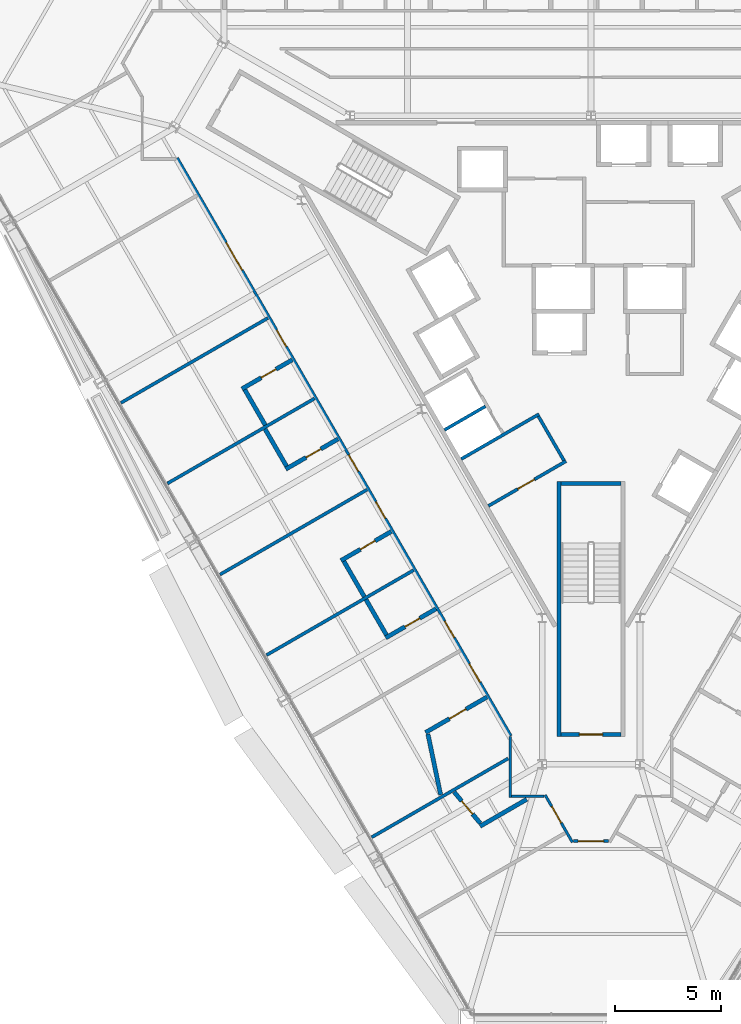
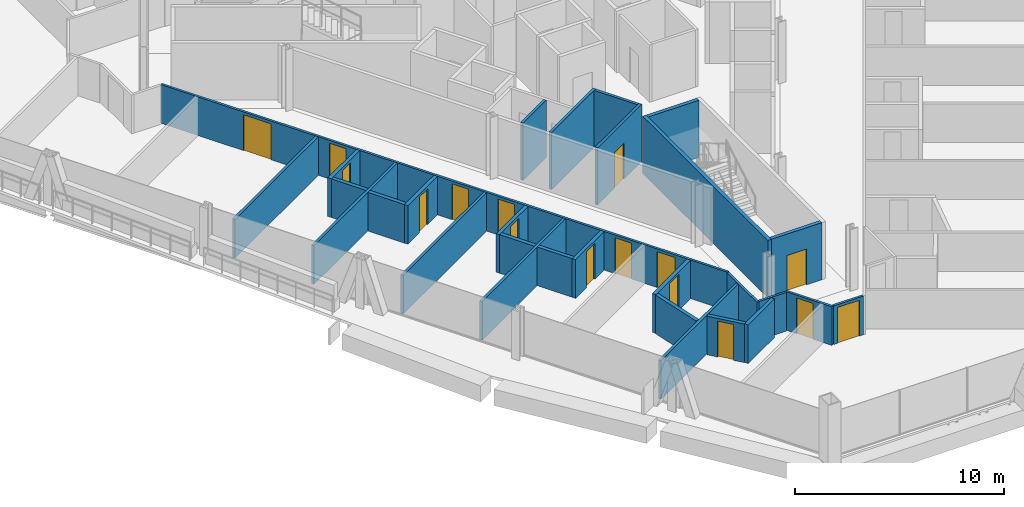
# One storey, part 11 of 18: 29 walls, 16 doors, 16 openings.
"""IFC4 building model written with IfcOpenShell, lengths in metres."""

from ifc_helpers import new_model, si_unit, direction, frame, frame_2d, origin, place, context, subcontext, project, spatial, rectangle, extrude, material, layer, layer_set, type_object, element, fill, save


model = new_model("IFC4")

# Units and contexts
model_context = context("Model", 3, precision=1e-05, world=origin(), true_north=direction((0.0, 1.0)))
body_context = subcontext(model_context, "Body", "Model", "MODEL_VIEW")
ifc_project = project(units=[si_unit("LENGTHUNIT", "METRE"), si_unit("AREAUNIT", "SQUARE_METRE"), si_unit("VOLUMEUNIT", "CUBIC_METRE"), si_unit("PLANEANGLEUNIT", "RADIAN"), si_unit("MASSUNIT", "GRAM", prefix="KILO")], contexts=[model_context])

# Site, building, storey
site_placement = place(None, origin())
site = spatial("IfcSite", under=ifc_project, at=site_placement, CompositionType="ELEMENT")
building_placement = place(site_placement, origin())
building = spatial("IfcBuilding", under=site, at=building_placement, Name="Verrane Prism Tower", CompositionType="ELEMENT")
storey_placement = place(building_placement, frame((0.0, 0.0, 83.60009765625)))
storey = spatial("IfcBuildingStorey", under=building, at=storey_placement, Name="L19", CompositionType="ELEMENT", Elevation=83.60009765625)

# Wall, opening, door
ifc_material_1 = material(Name="Concrete C40/50", Category="concrete")
ifc_layer_1 = layer(ifc_material_1, 0.199951171875)
ifc_layer_set_1 = layer_set([ifc_layer_1], Name="CW-200 stair core wall concrete C40/50 3 h")
wall_type_1 = type_object("IfcWallType", Name="CW-200 stair core wall concrete C40/50 3 h", PredefinedType="PARTITIONING", material=ifc_layer_set_1)
wall_1_placement = place(storey_placement, frame((-1.39990234375, -19.89990234375, 0.0), z_axis=(0.0, 0.0, 1.0), x_axis=(1.0, 0.0, 0.0)))
wall_1 = element("IfcWall", 1, at=wall_1_placement, inside=storey, type_object=wall_type_1, Name="Stair 3 enclosure wall", PredefinedType="PARTITIONING", context=body_context, shape_type="SweptSolid", body=[
    extrude(rectangle(XDim=2.7998046875, YDim=0.199951171875, at=frame_2d((1.39990234375, 0.0))), origin(), (0.0, 0.0, 1.0), 3.349853515625),
])
opening_1_placement = place(wall_1_placement, frame((0.85009765625, 0.0, 0.0)))
opening_1 = element("IfcOpeningElement", 2, at=opening_1_placement, cuts=wall_1, Name="Opening D17502", PredefinedType="OPENING", context=body_context, shape_type="SweptSolid", body=[
    extrude(rectangle(XDim=1.10009765625, YDim=2.10009765625, at=frame_2d((0.550048828125, 1.050048828125))), frame((0.0, 0.10986328125, 0.0), z_axis=(0.0, -1.0, 0.0), x_axis=(1.0, 0.0, 0.0)), (0.0, 0.0, 1.0), 0.219970703125),
])
ifc_material_2 = material(Name="Timber veneered door leaf", Category="wood")
door_type_1 = type_object("IfcDoorType", Name="DR-1100x2100 FD90 single leaf stair", OperationType="NOTDEFINED", PredefinedType="DOOR", material=ifc_material_2)
door_1_placement = place(opening_1_placement, origin())
door_1 = element("IfcDoor", 3, at=door_1_placement, inside=storey, type_object=door_type_1, Name="Stair 3 door", OperationType="SINGLE_SWING_LEFT", OverallHeight=2.10009765625, OverallWidth=1.10009765625, PredefinedType="DOOR", context=body_context, shape_type="SweptSolid", body=[
    extrude(rectangle(XDim=1.10009765625, YDim=2.10009765625, at=frame_2d((0.550048828125, 1.050048828125))), frame((0.0, 0.02490234375, 0.0), z_axis=(0.0, -1.0, 0.0), x_axis=(1.0, 0.0, 0.0)), (0.0, 0.0, 1.0), 0.050048828125),
])
fill(opening_1, door_1)

# Walls
wall_2_placement = place(storey_placement, frame((-1.5, -8.0, 0.0), z_axis=(0.0, 0.0, 1.0), x_axis=(0.0, -1.0, 0.0)))
element("IfcWall", 4, at=wall_2_placement, inside=storey, type_object=wall_type_1, Name="Stair 3 enclosure wall", PredefinedType="PARTITIONING", context=body_context, shape_type="SweptSolid", body=[
    extrude(rectangle(XDim=12.0, YDim=0.199951171875, at=frame_2d((6.0, 0.0))), origin(), (0.0, 0.0, 1.0), 3.349853515625),
])
wall_3_placement = place(storey_placement, frame((-1.39990234375, -8.10009765625, 0.0), z_axis=(0.0, 0.0, 1.0), x_axis=(1.0, 0.0, 0.0)))
element("IfcWall", 5, at=wall_3_placement, inside=storey, type_object=wall_type_1, Name="Stair 3 enclosure wall", PredefinedType="PARTITIONING", context=body_context, shape_type="SweptSolid", body=[
    extrude(rectangle(XDim=2.7998046875, YDim=0.199951171875, at=frame_2d((1.39990234375, 0.0))), origin(), (0.0, 0.0, 1.0), 3.349853515625),
])

# Wall, openings, doors
ifc_material_3 = material(Name="Gypsum board partition", Category="other")
ifc_layer_2 = layer(ifc_material_3, 0.125)
ifc_layer_set_2 = layer_set([ifc_layer_2], Name="PW-125 corridor wall 1 h")
wall_type_2 = type_object("IfcWallType", Name="PW-125 corridor wall 1 h", PredefinedType="PARTITIONING", material=ifc_layer_set_2)
wall_4_placement = place(storey_placement, frame((-3.765869140625, -19.9580078125, 0.0), z_axis=(0.0, 0.0, 1.0), x_axis=(-0.50002170027, 0.866012874765, 0.0)))
wall_4 = element("IfcWall", 6, at=wall_4_placement, inside=storey, type_object=wall_type_2, Name="Corridor wall 012", PredefinedType="PARTITIONING", context=body_context, shape_type="SweptSolid", body=[
    extrude(rectangle(XDim=31.37939453125, YDim=0.125, at=frame_2d((15.689697265625, 0.0))), origin(), (0.0, 0.0, 1.0), 2.261962890625),
])
opening_2_placement = place(wall_4_placement, frame((25.2802734375, 0.0, 0.0)))
opening_2 = element("IfcOpeningElement", 7, at=opening_2_placement, cuts=wall_4, Name="Opening D17036", PredefinedType="OPENING", context=body_context, shape_type="SweptSolid", body=[
    extrude(rectangle(XDim=1.5, YDim=2.10009765625, at=frame_2d((0.75, 1.050048828125))), frame((0.0, 0.072509765625, 0.0), z_axis=(0.0, -1.0, 0.0), x_axis=(1.0, 0.0, 0.0)), (0.0, 0.0, 1.0), 0.14501953125),
])
opening_3_placement = place(wall_4_placement, frame((21.124267578125, 0.0, 0.0)))
opening_3 = element("IfcOpeningElement", 8, at=opening_3_placement, cuts=wall_4, Name="Opening D17037", PredefinedType="OPENING", context=body_context, shape_type="SweptSolid", body=[
    extrude(rectangle(XDim=0.89990234375, YDim=2.10009765625, at=frame_2d((0.449951171875, 1.050048828125))), frame((0.0, 0.072509765625, 0.0), z_axis=(0.0, -1.0, 0.0), x_axis=(1.0, 0.0, 0.0)), (0.0, 0.0, 1.0), 0.14501953125),
])
opening_4_placement = place(wall_4_placement, frame((14.34912109375, 0.0, 0.0)))
opening_4 = element("IfcOpeningElement", 9, at=opening_4_placement, cuts=wall_4, Name="Opening D17039", PredefinedType="OPENING", context=body_context, shape_type="SweptSolid", body=[
    extrude(rectangle(XDim=0.89990234375, YDim=2.10009765625, at=frame_2d((0.449951171875, 1.050048828125))), frame((0.0, 0.072509765625, 0.0), z_axis=(0.0, -1.0, 0.0), x_axis=(1.0, 0.0, 0.0)), (0.0, 0.0, 1.0), 0.14501953125),
])
opening_5_placement = place(wall_4_placement, frame((11.80419921875, 0.0, 0.0)))
opening_5 = element("IfcOpeningElement", 10, at=opening_5_placement, cuts=wall_4, Name="Opening D17041", PredefinedType="OPENING", context=body_context, shape_type="SweptSolid", body=[
    extrude(rectangle(XDim=0.89990234375, YDim=2.10009765625, at=frame_2d((0.449951171875, 1.050048828125))), frame((0.0, 0.072509765625, 0.0), z_axis=(0.0, -1.0, 0.0), x_axis=(1.0, 0.0, 0.0)), (0.0, 0.0, 1.0), 0.14501953125),
])
opening_6_placement = place(wall_4_placement, frame((5.330322265625, 0.0, 0.0)))
opening_6 = element("IfcOpeningElement", 11, at=opening_6_placement, cuts=wall_4, Name="Opening D17043", PredefinedType="OPENING", context=body_context, shape_type="SweptSolid", body=[
    extrude(rectangle(XDim=0.89990234375, YDim=2.10009765625, at=frame_2d((0.449951171875, 1.050048828125))), frame((0.0, 0.072509765625, 0.0), z_axis=(0.0, -1.0, 0.0), x_axis=(1.0, 0.0, 0.0)), (0.0, 0.0, 1.0), 0.14501953125),
])
opening_7_placement = place(wall_4_placement, frame((2.90625, 0.0, 0.0)))
opening_7 = element("IfcOpeningElement", 12, at=opening_7_placement, cuts=wall_4, Name="Opening D17045", PredefinedType="OPENING", context=body_context, shape_type="SweptSolid", body=[
    extrude(rectangle(XDim=1.0, YDim=2.10009765625, at=frame_2d((0.5, 1.050048828125))), frame((0.0, 0.072509765625, 0.0), z_axis=(0.0, -1.0, 0.0), x_axis=(1.0, 0.0, 0.0)), (0.0, 0.0, 1.0), 0.14501953125),
])
ifc_material_4 = material(Name="Timber veneered door leaf", Category="wood")
door_type_2 = type_object("IfcDoorType", Name="DR-1000x2100 FD20 single leaf unit", OperationType="NOTDEFINED", PredefinedType="DOOR", material=ifc_material_4)
door_2_placement = place(opening_7_placement, origin())
door_2 = element("IfcDoor", 13, at=door_2_placement, inside=storey, type_object=door_type_2, Name="Accessible Guest Room door", OperationType="SINGLE_SWING_RIGHT", OverallHeight=2.10009765625, OverallWidth=1.0, PredefinedType="DOOR", context=body_context, shape_type="SweptSolid", body=[
    extrude(rectangle(XDim=1.0, YDim=2.10009765625, at=frame_2d((0.5, 1.050048828125))), frame((0.0, 0.02490234375, 0.0), z_axis=(0.0, -1.0, 0.0), x_axis=(1.0, 0.0, 0.0)), (0.0, 0.0, 1.0), 0.050048828125),
])
fill(opening_7, door_2)
ifc_material_5 = material(Name="Timber veneered door leaf", Category="wood")
door_type_3 = type_object("IfcDoorType", Name="DR-1500x2100 FD20 double leaf public", OperationType="NOTDEFINED", PredefinedType="DOOR", material=ifc_material_5)
door_3_placement = place(opening_2_placement, origin())
door_3 = element("IfcDoor", 14, at=door_3_placement, inside=storey, type_object=door_type_3, Name="Meeting Room door", OperationType="DOUBLE_DOOR_SINGLE_SWING", OverallHeight=2.10009765625, OverallWidth=1.5, PredefinedType="DOOR", context=body_context, shape_type="SweptSolid", body=[
    extrude(rectangle(XDim=1.5, YDim=2.10009765625, at=frame_2d((0.75, 1.050048828125))), frame((0.0, 0.02490234375, 0.0), z_axis=(0.0, -1.0, 0.0), x_axis=(1.0, 0.0, 0.0)), (0.0, 0.0, 1.0), 0.050048828125),
])
fill(opening_2, door_3)
ifc_material_6 = material(Name="Timber veneered door leaf", Category="wood")
door_type_4 = type_object("IfcDoorType", Name="DR-900x2100 FD20 single leaf unit", OperationType="NOTDEFINED", PredefinedType="DOOR", material=ifc_material_6)
door_4_placement = place(opening_3_placement, origin())
door_4 = element("IfcDoor", 15, at=door_4_placement, inside=storey, type_object=door_type_4, Name="Guest Room door", OperationType="SINGLE_SWING_RIGHT", OverallHeight=2.10009765625, OverallWidth=0.89990234375, PredefinedType="DOOR", context=body_context, shape_type="SweptSolid", body=[
    extrude(rectangle(XDim=0.89990234375, YDim=2.10009765625, at=frame_2d((0.449951171875, 1.050048828125))), frame((0.0, 0.02490234375, 0.0), z_axis=(0.0, -1.0, 0.0), x_axis=(1.0, 0.0, 0.0)), (0.0, 0.0, 1.0), 0.050048828125),
])
fill(opening_3, door_4)
door_5_placement = place(opening_4_placement, origin())
door_5 = element("IfcDoor", 16, at=door_5_placement, inside=storey, type_object=door_type_4, Name="Guest Room door", OperationType="SINGLE_SWING_RIGHT", OverallHeight=2.10009765625, OverallWidth=0.89990234375, PredefinedType="DOOR", context=body_context, shape_type="SweptSolid", body=[
    extrude(rectangle(XDim=0.89990234375, YDim=2.10009765625, at=frame_2d((0.449951171875, 1.050048828125))), frame((0.0, 0.02490234375, 0.0), z_axis=(0.0, -1.0, 0.0), x_axis=(1.0, 0.0, 0.0)), (0.0, 0.0, 1.0), 0.050048828125),
])
fill(opening_4, door_5)
door_6_placement = place(opening_5_placement, origin())
door_6 = element("IfcDoor", 17, at=door_6_placement, inside=storey, type_object=door_type_4, Name="Guest Room door", OperationType="SINGLE_SWING_RIGHT", OverallHeight=2.10009765625, OverallWidth=0.89990234375, PredefinedType="DOOR", context=body_context, shape_type="SweptSolid", body=[
    extrude(rectangle(XDim=0.89990234375, YDim=2.10009765625, at=frame_2d((0.449951171875, 1.050048828125))), frame((0.0, 0.02490234375, 0.0), z_axis=(0.0, -1.0, 0.0), x_axis=(1.0, 0.0, 0.0)), (0.0, 0.0, 1.0), 0.050048828125),
])
fill(opening_5, door_6)
door_7_placement = place(opening_6_placement, origin())
door_7 = element("IfcDoor", 18, at=door_7_placement, inside=storey, type_object=door_type_4, Name="Guest Room door", OperationType="SINGLE_SWING_RIGHT", OverallHeight=2.10009765625, OverallWidth=0.89990234375, PredefinedType="DOOR", context=body_context, shape_type="SweptSolid", body=[
    extrude(rectangle(XDim=0.89990234375, YDim=2.10009765625, at=frame_2d((0.449951171875, 1.050048828125))), frame((0.0, 0.02490234375, 0.0), z_axis=(0.0, -1.0, 0.0), x_axis=(1.0, 0.0, 0.0)), (0.0, 0.0, 1.0), 0.050048828125),
])
fill(opening_6, door_7)

# Walls
wall_5_placement = place(storey_placement, frame((-3.797119140625, -22.859619140625, 0.0), z_axis=(0.0, 0.0, 1.0), x_axis=(0.0, 1.0, 0.0)))
element("IfcWall", 19, at=wall_5_placement, inside=storey, type_object=wall_type_2, Name="Corridor wall 041", PredefinedType="PARTITIONING", context=body_context, shape_type="SweptSolid", body=[
    extrude(rectangle(XDim=2.87060546875, YDim=0.125, at=frame_2d((1.435302734375, 0.0))), origin(), (0.0, 0.0, 1.0), 2.261962890625),
])
wall_6_placement = place(storey_placement, frame((-3.73193359375, -22.797119140625, 0.0), z_axis=(0.0, 0.0, 1.0), x_axis=(1.0, 0.0, 0.0)))
element("IfcWall", 20, at=wall_6_placement, inside=storey, type_object=wall_type_2, Name="Corridor wall 042", PredefinedType="PARTITIONING", context=body_context, shape_type="SweptSolid", body=[
    extrude(rectangle(XDim=1.52001953125, YDim=0.125, at=frame_2d((0.760009765625, 0.0))), origin(), (0.0, 0.0, 1.0), 2.261962890625),
])

# Wall, opening, door
wall_7_placement = place(storey_placement, frame((-0.876708984375, -24.962158203125, 0.0), z_axis=(0.0, 0.0, 1.0), x_axis=(-0.500063308241, 0.865988849669, 0.0)))
wall_7 = element("IfcWall", 21, at=wall_7_placement, inside=storey, type_object=wall_type_2, Name="Corridor wall 043", PredefinedType="PARTITIONING", context=body_context, shape_type="SweptSolid", body=[
    extrude(rectangle(XDim=2.562744140625, YDim=0.125, at=frame_2d((1.28125, 0.0))), origin(), (0.0, 0.0, 1.0), 2.261962890625),
])
opening_8_placement = place(wall_7_placement, frame((1.05029296875, 0.0, 0.0)))
opening_8 = element("IfcOpeningElement", 22, at=opening_8_placement, cuts=wall_7, Name="Opening D17047", PredefinedType="OPENING", context=body_context, shape_type="SweptSolid", body=[
    extrude(rectangle(XDim=0.89990234375, YDim=2.10009765625, at=frame_2d((0.449951171875, 1.050048828125))), frame((0.0, 0.072509765625, 0.0), z_axis=(0.0, -1.0, 0.0), x_axis=(1.0, 0.0, 0.0)), (0.0, 0.0, 1.0), 0.14501953125),
])
door_8_placement = place(opening_8_placement, origin())
door_8 = element("IfcDoor", 23, at=door_8_placement, inside=storey, type_object=door_type_4, Name="Guest Room door", OperationType="SINGLE_SWING_RIGHT", OverallHeight=2.10009765625, OverallWidth=0.89990234375, PredefinedType="DOOR", context=body_context, shape_type="SweptSolid", body=[
    extrude(rectangle(XDim=0.89990234375, YDim=2.10009765625, at=frame_2d((0.449951171875, 1.050048828125))), frame((0.0, 0.02490234375, 0.0), z_axis=(0.0, -1.0, 0.0), x_axis=(1.0, 0.0, 0.0)), (0.0, 0.0, 1.0), 0.050048828125),
])
fill(opening_8, door_8)

wall_8_placement = place(storey_placement, frame((0.822998046875, -24.907958984375, 0.0), z_axis=(0.0, 0.0, 1.0), x_axis=(-1.0, 0.0, 0.0)))
wall_8 = element("IfcWall", 24, at=wall_8_placement, inside=storey, type_object=wall_type_2, Name="Corridor wall 046", PredefinedType="PARTITIONING", context=body_context, shape_type="SweptSolid", body=[
    extrude(rectangle(XDim=1.64599609375, YDim=0.125, at=frame_2d((0.822998046875, 0.0))), origin(), (0.0, 0.0, 1.0), 2.261962890625),
])
opening_9_placement = place(wall_8_placement, frame((0.23095703125, 0.0, 0.0)))
opening_9 = element("IfcOpeningElement", 25, at=opening_9_placement, cuts=wall_8, Name="Opening D17049", PredefinedType="OPENING", context=body_context, shape_type="SweptSolid", body=[
    extrude(rectangle(XDim=1.199951171875, YDim=2.10009765625, at=frame_2d((0.60009765625, 1.050048828125))), frame((0.0, 0.072509765625, 0.0), z_axis=(0.0, -1.0, 0.0), x_axis=(1.0, 0.0, 0.0)), (0.0, 0.0, 1.0), 0.14501953125),
])
ifc_material_7 = material(Name="Timber veneered door leaf", Category="wood")
door_type_5 = type_object("IfcDoorType", Name="DR-1200x2100 FD20 single leaf public", OperationType="NOTDEFINED", PredefinedType="DOOR", material=ifc_material_7)
door_9_placement = place(opening_9_placement, origin())
door_9 = element("IfcDoor", 26, at=door_9_placement, inside=storey, type_object=door_type_5, Name="Executive Lounge door", OperationType="SINGLE_SWING_RIGHT", OverallHeight=2.10009765625, OverallWidth=1.199951171875, PredefinedType="DOOR", context=body_context, shape_type="SweptSolid", body=[
    extrude(rectangle(XDim=1.199951171875, YDim=2.10009765625, at=frame_2d((0.60009765625, 1.050048828125))), frame((0.0, 0.02490234375, 0.0), z_axis=(0.0, -1.0, 0.0), x_axis=(1.0, 0.0, 0.0)), (0.0, 0.0, 1.0), 0.050048828125),
])
fill(opening_9, door_9)

# Walls
ifc_material_8 = material(Name="Gypsum board partition", Category="other")
ifc_layer_3 = layer(ifc_material_8, 0.14990234375)
ifc_layer_set_3 = layer_set([ifc_layer_3], Name="PW-150 demising wall 1 h")
wall_type_3 = type_object("IfcWallType", Name="PW-150 demising wall 1 h", PredefinedType="PARTITIONING", material=ifc_layer_set_3)
wall_9_placement = place(storey_placement, frame((-22.10302734375, -4.30615234375, 0.0), z_axis=(0.0, 0.0, 1.0), x_axis=(0.866016576429, 0.500015289116, 0.0)))
element("IfcWall", 27, at=wall_9_placement, inside=storey, type_object=wall_type_3, Name="Demising wall 003", PredefinedType="PARTITIONING", context=body_context, shape_type="SweptSolid", body=[
    extrude(rectangle(XDim=7.986572265625, YDim=0.14990234375, at=frame_2d((3.9931640625, 0.0))), origin(), (0.0, 0.0, 1.0), 2.261962890625),
])
for number, where, z_axis, x_axis, name in (
    (28, (-19.91552734375, -8.094970703125, 0.0), (0.0, 0.0, 1.0), (0.865953574939, 0.500124390578, 0.0), "Demising wall 011"),
    (29, (-17.443115234375, -12.377197265625, 0.0), (0.0, 0.0, 1.0), (0.866021771655, 0.500006290979, 0.0), "Demising wall 013"),
    (30, (-15.256103515625, -16.165283203125, 0.0), (0.0, 0.0, 1.0), (0.866008543052, 0.500029202507, 0.0), "Demising wall 018"),
):
    element("IfcWall", number, at=place(storey_placement, frame(where, z_axis=z_axis, x_axis=x_axis)), inside=storey, type_object=wall_type_3, Name=name, PredefinedType="PARTITIONING", context=body_context, shape_type="SweptSolid", body=[
        extrude(rectangle(XDim=7.99169921875, YDim=0.14990234375, at=frame_2d((3.995849609375, 0.0))), origin(), (0.0, 0.0, 1.0), 2.261962890625),
    ])
wall_10_placement = place(storey_placement, frame((-10.31103515625, -24.730224609375, 0.0), z_axis=(0.0, 0.0, 1.0), x_axis=(0.8660132178, 0.500021106151, 0.0)))
element("IfcWall", 31, at=wall_10_placement, inside=storey, type_object=wall_type_3, Name="Demising wall 030", PredefinedType="PARTITIONING", context=body_context, shape_type="SweptSolid", body=[
    extrude(rectangle(XDim=7.406494140625, YDim=0.14990234375, at=frame_2d((3.703125, 0.0))), origin(), (0.0, 0.0, 1.0), 2.261962890625),
])
ifc_material_9 = material(Name="Gypsum board partition", Category="other")
ifc_layer_4 = layer(ifc_material_9, 0.199951171875)
ifc_layer_set_4 = layer_set([ifc_layer_4], Name="PW-200 plumbing wall")
wall_type_4 = type_object("IfcWallType", Name="PW-200 plumbing wall", PredefinedType="PARTITIONING", material=ifc_layer_set_4)
wall_11_placement = place(storey_placement, frame((-16.279052734375, -3.685546875, 0.0), z_axis=(0.0, 0.0, 1.0), x_axis=(0.500190942922, -0.865915134767, 0.0)))
element("IfcWall", 32, at=wall_11_placement, inside=storey, type_object=wall_type_4, Name="Plumbing wall 015", PredefinedType="PARTITIONING", context=body_context, shape_type="SweptSolid", body=[
    extrude(rectangle(XDim=1.924560546875, YDim=0.199951171875, at=frame_2d((0.96240234375, 0.0))), origin(), (0.0, 0.0, 1.0), 2.261962890625),
])

# Wall, opening, door
wall_12_placement = place(storey_placement, frame((-14.045166015625, -2.2802734375, 0.0), z_axis=(0.0, 0.0, 1.0), x_axis=(-0.866005850709, -0.50003386539, 0.0)))
wall_12 = element("IfcWall", 33, at=wall_12_placement, inside=storey, type_object=wall_type_4, Name="Plumbing wall 016", PredefinedType="PARTITIONING", context=body_context, shape_type="SweptSolid", body=[
    extrude(rectangle(XDim=2.737060546875, YDim=0.199951171875, at=frame_2d((1.36865234375, 0.0))), origin(), (0.0, 0.0, 1.0), 2.261962890625),
])
opening_10_placement = place(wall_12_placement, frame((0.88720703125, 0.0, 0.0)))
opening_10 = element("IfcOpeningElement", 34, at=opening_10_placement, cuts=wall_12, Name="Opening D17038", PredefinedType="OPENING", context=body_context, shape_type="SweptSolid", body=[
    extrude(rectangle(XDim=0.800048828125, YDim=2.10009765625, at=frame_2d((0.39990234375, 1.050048828125))), frame((0.0, 0.10986328125, 0.0), z_axis=(0.0, -1.0, 0.0), x_axis=(1.0, 0.0, 0.0)), (0.0, 0.0, 1.0), 0.219970703125),
])
ifc_material_10 = material(Name="Timber veneered door leaf", Category="wood")
door_type_6 = type_object("IfcDoorType", Name="DR-800x2100 single leaf bath", OperationType="NOTDEFINED", PredefinedType="DOOR", material=ifc_material_10)
door_10_placement = place(opening_10_placement, origin())
door_10 = element("IfcDoor", 35, at=door_10_placement, inside=storey, type_object=door_type_6, Name="En-Suite door", OperationType="SINGLE_SWING_LEFT", OverallHeight=2.10009765625, OverallWidth=0.800048828125, PredefinedType="DOOR", context=body_context, shape_type="SweptSolid", body=[
    extrude(rectangle(XDim=0.800048828125, YDim=2.10009765625, at=frame_2d((0.39990234375, 1.050048828125))), frame((0.0, 0.02490234375, 0.0), z_axis=(0.0, -1.0, 0.0), x_axis=(1.0, 0.0, 0.0)), (0.0, 0.0, 1.0), 0.050048828125),
])
fill(opening_10, door_10)

# Wall
wall_13_placement = place(storey_placement, frame((-15.325927734375, -5.536376953125, 0.0), z_axis=(0.0, 0.0, 1.0), x_axis=(0.499868889286, -0.866101087359, 0.0)))
element("IfcWall", 36, at=wall_13_placement, inside=storey, type_object=wall_type_4, Name="Plumbing wall 017", PredefinedType="PARTITIONING", context=body_context, shape_type="SweptSolid", body=[
    extrude(rectangle(XDim=2.0205078125, YDim=0.199951171875, at=frame_2d((1.01025390625, 0.0))), origin(), (0.0, 0.0, 1.0), 2.261962890625),
])

# Wall, opening, door
wall_14_placement = place(storey_placement, frame((-14.3525390625, -7.423095703125, 0.0), z_axis=(0.0, 0.0, 1.0), x_axis=(0.866010792954, 0.500025305846, 0.0)))
wall_14 = element("IfcWall", 37, at=wall_14_placement, inside=storey, type_object=wall_type_4, Name="Plumbing wall 022", PredefinedType="PARTITIONING", context=body_context, shape_type="SweptSolid", body=[
    extrude(rectangle(XDim=2.837646484375, YDim=0.199951171875, at=frame_2d((1.4189453125, 0.0))), origin(), (0.0, 0.0, 1.0), 2.261962890625),
])
opening_11_placement = place(wall_14_placement, frame((1.10009765625, 0.0, 0.0)))
opening_11 = element("IfcOpeningElement", 38, at=opening_11_placement, cuts=wall_14, Name="Opening D17040", PredefinedType="OPENING", context=body_context, shape_type="SweptSolid", body=[
    extrude(rectangle(XDim=0.800048828125, YDim=2.10009765625, at=frame_2d((0.39990234375, 1.050048828125))), frame((0.0, 0.10986328125, 0.0), z_axis=(0.0, -1.0, 0.0), x_axis=(1.0, 0.0, 0.0)), (0.0, 0.0, 1.0), 0.219970703125),
])
door_11_placement = place(opening_11_placement, origin())
door_11 = element("IfcDoor", 39, at=door_11_placement, inside=storey, type_object=door_type_6, Name="En-Suite door", OperationType="SINGLE_SWING_RIGHT", OverallHeight=2.10009765625, OverallWidth=0.800048828125, PredefinedType="DOOR", context=body_context, shape_type="SweptSolid", body=[
    extrude(rectangle(XDim=0.800048828125, YDim=2.10009765625, at=frame_2d((0.39990234375, 1.050048828125))), frame((0.0, 0.02490234375, 0.0), z_axis=(0.0, -1.0, 0.0), x_axis=(1.0, 0.0, 0.0)), (0.0, 0.0, 1.0), 0.050048828125),
])
fill(opening_11, door_11)

# Wall
wall_15_placement = place(storey_placement, frame((-11.618896484375, -11.756591796875, 0.0), z_axis=(0.0, 0.0, 1.0), x_axis=(0.500133489192, -0.865948320045, 0.0)))
element("IfcWall", 40, at=wall_15_placement, inside=storey, type_object=wall_type_4, Name="Plumbing wall 027", PredefinedType="PARTITIONING", context=body_context, shape_type="SweptSolid", body=[
    extrude(rectangle(XDim=1.91943359375, YDim=0.199951171875, at=frame_2d((0.959716796875, 0.0))), origin(), (0.0, 0.0, 1.0), 2.261962890625),
])

# Wall, opening, door
wall_16_placement = place(storey_placement, frame((-9.389404296875, -10.352783203125, 0.0), z_axis=(0.0, 0.0, 1.0), x_axis=(-0.865858193421, -0.500289505072, 0.0)))
wall_16 = element("IfcWall", 41, at=wall_16_placement, inside=storey, type_object=wall_type_4, Name="Plumbing wall 028", PredefinedType="PARTITIONING", context=body_context, shape_type="SweptSolid", body=[
    extrude(rectangle(XDim=2.73291015625, YDim=0.199951171875, at=frame_2d((1.366455078125, 0.0))), origin(), (0.0, 0.0, 1.0), 2.261962890625),
])
opening_12_placement = place(wall_16_placement, frame((0.8828125, 0.0, 0.0)))
opening_12 = element("IfcOpeningElement", 42, at=opening_12_placement, cuts=wall_16, Name="Opening D17042", PredefinedType="OPENING", context=body_context, shape_type="SweptSolid", body=[
    extrude(rectangle(XDim=0.800048828125, YDim=2.10009765625, at=frame_2d((0.39990234375, 1.050048828125))), frame((0.0, 0.10986328125, 0.0), z_axis=(0.0, -1.0, 0.0), x_axis=(1.0, 0.0, 0.0)), (0.0, 0.0, 1.0), 0.219970703125),
])
door_12_placement = place(opening_12_placement, origin())
door_12 = element("IfcDoor", 43, at=door_12_placement, inside=storey, type_object=door_type_6, Name="En-Suite door", OperationType="SINGLE_SWING_LEFT", OverallHeight=2.10009765625, OverallWidth=0.800048828125, PredefinedType="DOOR", context=body_context, shape_type="SweptSolid", body=[
    extrude(rectangle(XDim=0.800048828125, YDim=2.10009765625, at=frame_2d((0.39990234375, 1.050048828125))), frame((0.0, 0.02490234375, 0.0), z_axis=(0.0, -1.0, 0.0), x_axis=(1.0, 0.0, 0.0)), (0.0, 0.0, 1.0), 0.050048828125),
])
fill(opening_12, door_12)

# Wall
wall_17_placement = place(storey_placement, frame((-10.58154296875, -13.552978515625, 0.0), z_axis=(0.0, 0.0, 1.0), x_axis=(0.499971247393, -0.866042003473, 0.0)))
element("IfcWall", 44, at=wall_17_placement, inside=storey, type_object=wall_type_4, Name="Plumbing wall 029", PredefinedType="PARTITIONING", context=body_context, shape_type="SweptSolid", body=[
    extrude(rectangle(XDim=1.92529296875, YDim=0.199951171875, at=frame_2d((0.962646484375, 0.0))), origin(), (0.0, 0.0, 1.0), 2.261962890625),
])

# Wall, opening, door
wall_18_placement = place(storey_placement, frame((-9.655517578125, -15.35693359375, 0.0), z_axis=(0.0, 0.0, 1.0), x_axis=(0.866005850709, 0.50003386539, 0.0)))
wall_18 = element("IfcWall", 45, at=wall_18_placement, inside=storey, type_object=wall_type_4, Name="Plumbing wall 033", PredefinedType="PARTITIONING", context=body_context, shape_type="SweptSolid", body=[
    extrude(rectangle(XDim=2.737060546875, YDim=0.199951171875, at=frame_2d((1.36865234375, 0.0))), origin(), (0.0, 0.0, 1.0), 2.261962890625),
])
opening_13_placement = place(wall_18_placement, frame((1.050048828125, 0.0, 0.0)))
opening_13 = element("IfcOpeningElement", 46, at=opening_13_placement, cuts=wall_18, Name="Opening D17044", PredefinedType="OPENING", context=body_context, shape_type="SweptSolid", body=[
    extrude(rectangle(XDim=0.800048828125, YDim=2.10009765625, at=frame_2d((0.39990234375, 1.050048828125))), frame((0.0, 0.10986328125, 0.0), z_axis=(0.0, -1.0, 0.0), x_axis=(1.0, 0.0, 0.0)), (0.0, 0.0, 1.0), 0.219970703125),
])
door_13_placement = place(opening_13_placement, origin())
door_13 = element("IfcDoor", 47, at=door_13_placement, inside=storey, type_object=door_type_6, Name="En-Suite door", OperationType="SINGLE_SWING_RIGHT", OverallHeight=2.10009765625, OverallWidth=0.800048828125, PredefinedType="DOOR", context=body_context, shape_type="SweptSolid", body=[
    extrude(rectangle(XDim=0.800048828125, YDim=2.10009765625, at=frame_2d((0.39990234375, 1.050048828125))), frame((0.0, 0.02490234375, 0.0), z_axis=(0.0, -1.0, 0.0), x_axis=(1.0, 0.0, 0.0)), (0.0, 0.0, 1.0), 0.050048828125),
])
fill(opening_13, door_13)

# Wall
wall_19_placement = place(storey_placement, frame((-7.66845703125, -19.87744140625, 0.0), z_axis=(0.0, 0.0, 1.0), x_axis=(0.204611748063, -0.978843211426, 0.0)))
element("IfcWall", 48, at=wall_19_placement, inside=storey, type_object=wall_type_4, Name="Plumbing wall 035", PredefinedType="PARTITIONING", context=body_context, shape_type="SweptSolid", body=[
    extrude(rectangle(XDim=2.9208984375, YDim=0.199951171875, at=frame_2d((1.46044921875, 0.0))), origin(), (0.0, 0.0, 1.0), 2.261962890625),
])

# Wall, opening, door
wall_20_placement = place(storey_placement, frame((-4.89013671875, -18.13623046875, 0.0), z_axis=(0.0, 0.0, 1.0), x_axis=(-0.866033317326, -0.499986293093, 0.0)))
wall_20 = element("IfcWall", 49, at=wall_20_placement, inside=storey, type_object=wall_type_4, Name="Plumbing wall 036", PredefinedType="PARTITIONING", context=body_context, shape_type="SweptSolid", body=[
    extrude(rectangle(XDim=3.33740234375, YDim=0.199951171875, at=frame_2d((1.668701171875, 0.0))), origin(), (0.0, 0.0, 1.0), 2.261962890625),
])
opening_14_placement = place(wall_20_placement, frame((1.1376953125, 0.0, 0.0)))
opening_14 = element("IfcOpeningElement", 50, at=opening_14_placement, cuts=wall_20, Name="Opening D17046", PredefinedType="OPENING", context=body_context, shape_type="SweptSolid", body=[
    extrude(rectangle(XDim=0.89990234375, YDim=2.10009765625, at=frame_2d((0.449951171875, 1.050048828125))), frame((0.0, 0.10986328125, 0.0), z_axis=(0.0, -1.0, 0.0), x_axis=(1.0, 0.0, 0.0)), (0.0, 0.0, 1.0), 0.219970703125),
])
ifc_material_11 = material(Name="Timber veneered door leaf", Category="wood")
door_type_7 = type_object("IfcDoorType", Name="DR-900x2100 single leaf bath", OperationType="NOTDEFINED", PredefinedType="DOOR", material=ifc_material_11)
door_14_placement = place(opening_14_placement, origin())
door_14 = element("IfcDoor", 51, at=door_14_placement, inside=storey, type_object=door_type_7, Name="En-Suite door", OperationType="SINGLE_SWING_LEFT", OverallHeight=2.10009765625, OverallWidth=0.89990234375, PredefinedType="DOOR", context=body_context, shape_type="SweptSolid", body=[
    extrude(rectangle(XDim=0.89990234375, YDim=2.10009765625, at=frame_2d((0.449951171875, 1.050048828125))), frame((0.0, 0.02490234375, 0.0), z_axis=(0.0, -1.0, 0.0), x_axis=(1.0, 0.0, 0.0)), (0.0, 0.0, 1.0), 0.050048828125),
])
fill(opening_14, door_14)

wall_21_placement = place(storey_placement, frame((-6.43701171875, -22.599853515625, 0.0), z_axis=(0.0, 0.0, 1.0), x_axis=(0.640970893908, -0.76756518496, 0.0)))
wall_21 = element("IfcWall", 52, at=wall_21_placement, inside=storey, type_object=wall_type_4, Name="Plumbing wall 038", PredefinedType="PARTITIONING", context=body_context, shape_type="SweptSolid", body=[
    extrude(rectangle(XDim=1.9228515625, YDim=0.199951171875, at=frame_2d((0.96142578125, 0.0))), origin(), (0.0, 0.0, 1.0), 2.261962890625),
])
opening_15_placement = place(wall_21_placement, frame((0.556396484375, 0.0, 0.0)))
opening_15 = element("IfcOpeningElement", 53, at=opening_15_placement, cuts=wall_21, Name="Opening D17048", PredefinedType="OPENING", context=body_context, shape_type="SweptSolid", body=[
    extrude(rectangle(XDim=0.800048828125, YDim=2.10009765625, at=frame_2d((0.39990234375, 1.050048828125))), frame((0.0, 0.10986328125, 0.0), z_axis=(0.0, -1.0, 0.0), x_axis=(1.0, 0.0, 0.0)), (0.0, 0.0, 1.0), 0.219970703125),
])
door_15_placement = place(opening_15_placement, origin())
door_15 = element("IfcDoor", 54, at=door_15_placement, inside=storey, type_object=door_type_6, Name="En-Suite door", OperationType="SINGLE_SWING_RIGHT", OverallHeight=2.10009765625, OverallWidth=0.800048828125, PredefinedType="DOOR", context=body_context, shape_type="SweptSolid", body=[
    extrude(rectangle(XDim=0.800048828125, YDim=2.10009765625, at=frame_2d((0.39990234375, 1.050048828125))), frame((0.0, 0.02490234375, 0.0), z_axis=(0.0, -1.0, 0.0), x_axis=(1.0, 0.0, 0.0)), (0.0, 0.0, 1.0), 0.050048828125),
])
fill(opening_15, door_15)

# Walls
wall_22_placement = place(storey_placement, frame((-5.217529296875, -24.214111328125, 0.0), z_axis=(0.0, 0.0, 1.0), x_axis=(0.865922540442, 0.500178122226, 0.0)))
element("IfcWall", 55, at=wall_22_placement, inside=storey, type_object=wall_type_4, Name="Plumbing wall 039", PredefinedType="PARTITIONING", context=body_context, shape_type="SweptSolid", body=[
    extrude(rectangle(XDim=2.53515625, YDim=0.199951171875, at=frame_2d((1.267578125, 0.0))), origin(), (0.0, 0.0, 1.0), 2.261962890625),
])
ifc_material_12 = material(Name="Gypsum board partition", Category="other")
ifc_layer_5 = layer(ifc_material_12, 0.14990234375)
ifc_layer_set_5 = layer_set([ifc_layer_5], Name="RS-150 riser enclosure wall 1 h")
wall_type_5 = type_object("IfcWallType", Name="RS-150 riser enclosure wall 1 h", PredefinedType="PARTITIONING", material=ifc_layer_set_5)
wall_23_placement = place(storey_placement, frame((-6.892333984375, -5.58203125, 0.0), z_axis=(0.0, 0.0, 1.0), x_axis=(0.865944298464, 0.500140452231, 0.0)))
element("IfcWall", 56, at=wall_23_placement, inside=storey, type_object=wall_type_5, Name="Riser wall RS3-002", PredefinedType="PARTITIONING", context=body_context, shape_type="SweptSolid", body=[
    extrude(rectangle(XDim=2.224365234375, YDim=0.14990234375, at=frame_2d((1.1123046875, 0.0))), origin(), (0.0, 0.0, 1.0), 3.349853515625),
])
wall_24_placement = place(storey_placement, frame((-6.10009765625, -6.945556640625, 0.0), z_axis=(0.0, 0.0, 1.0), x_axis=(0.866038200431, 0.499977834903, 0.0)))
element("IfcWall", 57, at=wall_24_placement, inside=storey, type_object=wall_type_5, Name="Riser wall RS3-003", PredefinedType="PARTITIONING", context=body_context, shape_type="SweptSolid", body=[
    extrude(rectangle(XDim=4.220458984375, YDim=0.14990234375, at=frame_2d((2.1103515625, 0.0))), origin(), (0.0, 0.0, 1.0), 3.349853515625),
])

# Wall, opening, door
wall_25_placement = place(storey_placement, frame((-4.824951171875, -9.153564453125, 0.0), z_axis=(0.0, 0.0, 1.0), x_axis=(0.866023738697, 0.500002884005, 0.0)))
wall_25 = element("IfcWall", 58, at=wall_25_placement, inside=storey, type_object=wall_type_5, Name="Riser wall RS3-005", PredefinedType="PARTITIONING", context=body_context, shape_type="SweptSolid", body=[
    extrude(rectangle(XDim=4.22021484375, YDim=0.14990234375, at=frame_2d((2.110107421875, 0.0))), origin(), (0.0, 0.0, 1.0), 3.349853515625),
])
opening_16_placement = place(wall_25_placement, frame((1.594970703125, 0.0, 0.0)))
opening_16 = element("IfcOpeningElement", 59, at=opening_16_placement, cuts=wall_25, Name="Opening D17514", PredefinedType="OPENING", context=body_context, shape_type="SweptSolid", body=[
    extrude(rectangle(XDim=0.89990234375, YDim=2.10009765625, at=frame_2d((0.449951171875, 1.050048828125))), frame((0.0, 0.0849609375, 0.0), z_axis=(0.0, -1.0, 0.0), x_axis=(1.0, 0.0, 0.0)), (0.0, 0.0, 1.0), 0.169921875),
])
ifc_material_13 = material(Name="Timber veneered door leaf", Category="wood")
door_type_8 = type_object("IfcDoorType", Name="DR-900x2100 FD20 single leaf store", OperationType="NOTDEFINED", PredefinedType="DOOR", material=ifc_material_13)
door_16_placement = place(opening_16_placement, origin())
door_16 = element("IfcDoor", 60, at=door_16_placement, inside=storey, type_object=door_type_8, Name="Room door D17514", OperationType="SINGLE_SWING_LEFT", OverallHeight=2.10009765625, OverallWidth=0.89990234375, PredefinedType="DOOR", context=body_context, shape_type="SweptSolid", body=[
    extrude(rectangle(XDim=0.89990234375, YDim=2.10009765625, at=frame_2d((0.449951171875, 1.050048828125))), frame((0.0, 0.02490234375, 0.0), z_axis=(0.0, -1.0, 0.0), x_axis=(1.0, 0.0, 0.0)), (0.0, 0.0, 1.0), 0.050048828125),
])
fill(opening_16, door_16)

# Wall
wall_26_placement = place(storey_placement, frame((-2.472412109375, -4.93798828125, 0.0), z_axis=(0.0, 0.0, 1.0), x_axis=(0.500045362686, -0.865999212041, 0.0)))
element("IfcWall", 61, at=wall_26_placement, inside=storey, type_object=wall_type_5, Name="Riser wall RS3-006", PredefinedType="PARTITIONING", context=body_context, shape_type="SweptSolid", body=[
    extrude(rectangle(XDim=2.399658203125, YDim=0.14990234375, at=frame_2d((1.19970703125, 0.0))), origin(), (0.0, 0.0, 1.0), 3.349853515625),
])

save(model, "model.ifc")
